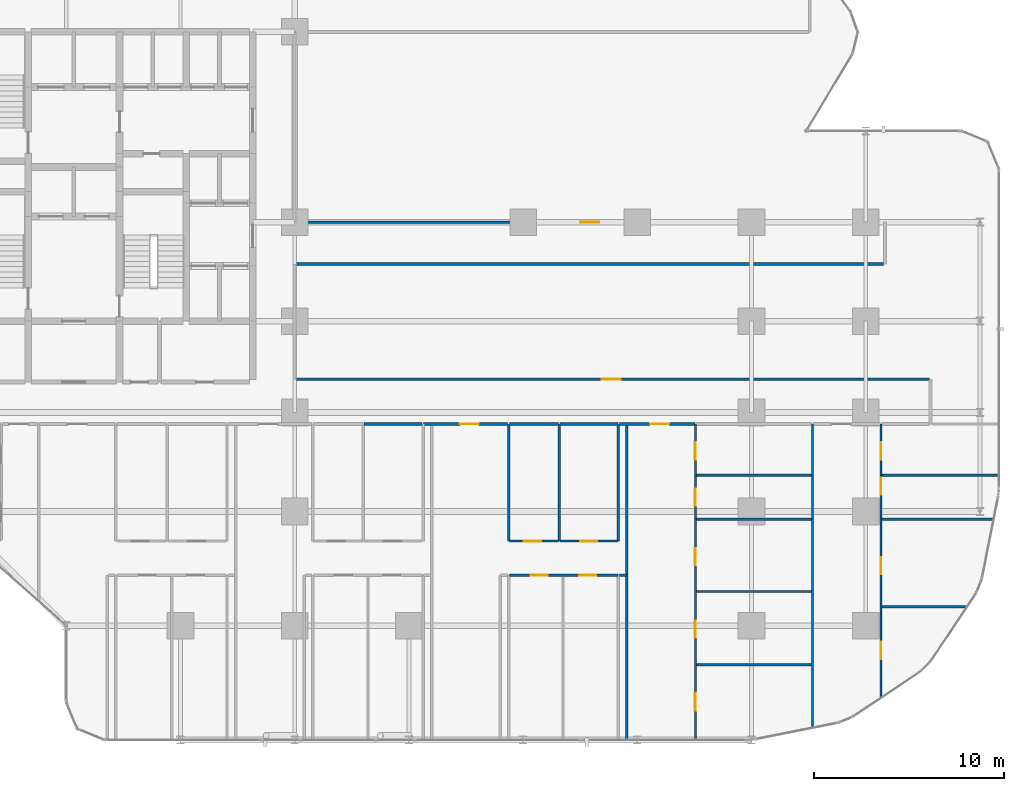
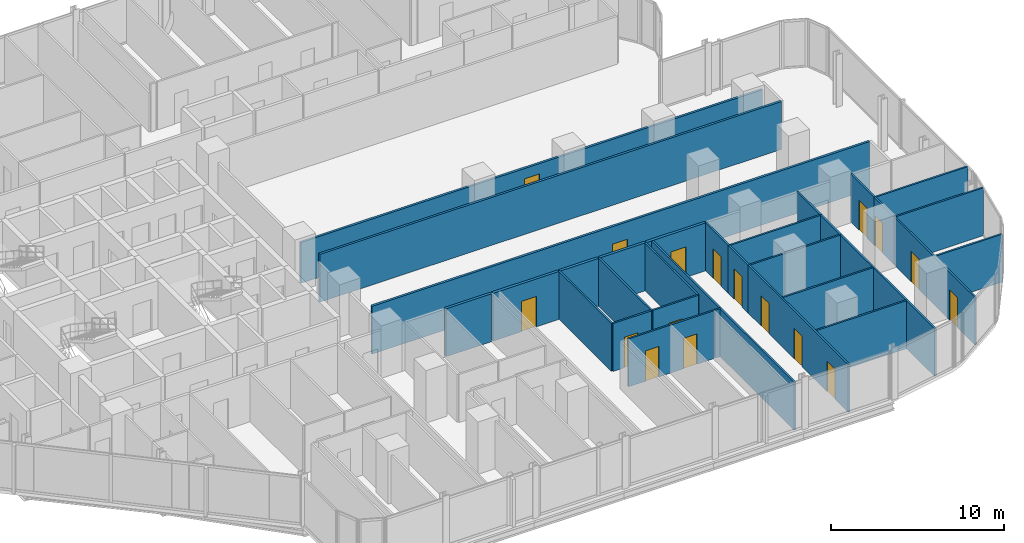
# One storey, part 29 of 34: 32 walls, 17 doors, 17 openings.
"""IFC4 building model written with IfcOpenShell, lengths in metres."""

import ifcopenshell
import ifcopenshell.guid

model = None  # the IFC model being written
_history = None  # IfcOwnerHistory: only IFC2X3 demands one
_inside = {}  # id of a spatial element -> (the spatial element, [elements in it])
_under = {}  # id of a project, library or spatial element -> (it, [spatial elements below it])
_declared = {}  # id of a project -> (the project, [libraries it declares])
_typed = {}  # id of a type object -> (the type object, [elements of that type])
_made_of = {}  # id of a material, layer set ... -> (it, [elements and type objects made of it])


def new_model(schema):
    """Start an empty IFC model of exactly this schema.

    Asked for "IFC4X3", IfcOpenShell would pick the latest addendum, in which some entities
    have other attributes; the version numbers below select the first issue.
    IFC2X3 requires an IfcOwnerHistory on every rooted entity: one is made here for all.
    """
    global model, _history
    if schema == "IFC4X3":
        model = ifcopenshell.file(schema_version=(4, 3, 0, 0))
    else:
        model = ifcopenshell.file(schema=schema)
    _inside.clear()
    _under.clear()
    _declared.clear()
    _typed.clear()
    _made_of.clear()
    _history = None
    if model.schema == "IFC2X3":
        org = make("IfcOrganization", Name="unknown")
        user = make(
            "IfcPersonAndOrganization",
            ThePerson=make("IfcPerson", FamilyName="unknown"),
            TheOrganization=org,
        )
        app = make(
            "IfcApplication",
            ApplicationDeveloper=org,
            Version="unknown",
            ApplicationFullName="unknown",
            ApplicationIdentifier="unknown",
        )
        _history = make(
            "IfcOwnerHistory",
            OwningUser=user,
            OwningApplication=app,
            ChangeAction="ADDED",
            CreationDate=0,
        )
    return model


def make(cls, **values):
    """One entity of the class cls with the attributes given. An attribute that is None is left unset."""
    return model.create_entity(
        cls, **{name: value for name, value in values.items() if value is not None}
    )


def rooted(cls, **values):
    """An entity with a GlobalId (a new one), such as an element, a storey or a relation."""
    return make(cls, GlobalId=ifcopenshell.guid.new(), OwnerHistory=_history, **values)


def si_unit(unit_type, name, prefix=None):
    """IfcSIUnit, for example si_unit("LENGTHUNIT", "METRE", prefix="MILLI")."""
    return make("IfcSIUnit", UnitType=unit_type, Prefix=prefix, Name=name)


def assignment(units):
    """IfcUnitAssignment: the units of a project."""
    return None if units is None else make("IfcUnitAssignment", Units=units)


def point(xyz):
    """IfcCartesianPoint."""
    return None if xyz is None else make("IfcCartesianPoint", Coordinates=xyz)


def direction(xyz):
    """IfcDirection."""
    return None if xyz is None else make("IfcDirection", DirectionRatios=xyz)


def frame(location, z_axis=None, x_axis=None):
    """IfcAxis2Placement3D, a coordinate frame: its origin and axes. An axis left out is left unset."""
    return make(
        "IfcAxis2Placement3D",
        Location=point(location),
        Axis=direction(z_axis),
        RefDirection=direction(x_axis),
    )


def frame_2d(location, x_axis=None):
    """IfcAxis2Placement2D, a coordinate frame in the plane: its origin and x axis."""
    return make(
        "IfcAxis2Placement2D", Location=point(location), RefDirection=direction(x_axis)
    )


def origin():
    """The frame at (0, 0, 0) with its axes left unset."""
    return frame((0.0, 0.0, 0.0))


def place(relative_to, where):
    """IfcLocalPlacement: puts the frame where relative to a parent placement (None: the world)."""
    return make(
        "IfcLocalPlacement", PlacementRelTo=relative_to, RelativePlacement=where
    )


def context(
    kind, dimensions, precision=None, world=None, true_north=None, identifier=None
):
    """IfcGeometricRepresentationContext, for example the 3D "Model" context."""
    return make(
        "IfcGeometricRepresentationContext",
        ContextIdentifier=identifier,
        ContextType=kind,
        CoordinateSpaceDimension=dimensions,
        Precision=precision,
        WorldCoordinateSystem=world,
        TrueNorth=true_north,
    )


def subcontext(parent, identifier, kind, view, scale=None):
    """IfcGeometricRepresentationSubContext, for example "Body" below "Model"."""
    return make(
        "IfcGeometricRepresentationSubContext",
        ContextIdentifier=identifier,
        ContextType=kind,
        ParentContext=parent,
        TargetScale=scale,
        TargetView=view,
    )


def project(units=None, contexts=None):
    """IfcProject with its units and contexts."""
    return rooted(
        "IfcProject",
        Name="project",
        RepresentationContexts=contexts,
        UnitsInContext=assignment(units),
    )


def spatial(cls, under=None, at=None, **own):
    """A site, building, storey or space (cls), placed at a placement, below another one or the project."""
    s = rooted(cls, ObjectPlacement=at, **own)
    if under is not None:
        _under.setdefault(under.id(), (under, []))[1].append(s)
    return s


def profile(cls, at=None, kind="AREA", **sizes):
    """A parametric profile (cls). Its sizes go by their IFC names, for example OverallWidth=200.0."""
    return make(cls, ProfileType=kind, Position=at, **sizes)


def rectangle(**sizes):
    """IfcRectangleProfileDef."""
    return profile("IfcRectangleProfileDef", **sizes)


def extrude(swept, where, along, depth):
    """IfcExtrudedAreaSolid: the profile swept, set in the frame where, extruded along a direction by depth."""
    return make(
        "IfcExtrudedAreaSolid",
        SweptArea=swept,
        Position=where,
        ExtrudedDirection=direction(along),
        Depth=depth,
    )


def shape(context_of_items, identifier, shape_type, items):
    """IfcShapeRepresentation: the items that make up one representation, for example the "Body"."""
    return make(
        "IfcShapeRepresentation",
        ContextOfItems=context_of_items,
        RepresentationIdentifier=identifier,
        RepresentationType=shape_type,
        Items=items,
    )


def material(Name=None, Category=None):
    """IfcMaterial."""
    return make("IfcMaterial", Name=Name, Category=Category)


def layer(
    of_material, thickness, ventilated=None, Name=None, Category=None, Priority=None
):
    """IfcMaterialLayer: one layer of a wall or slab, of a material (None: an air gap)."""
    return make(
        "IfcMaterialLayer",
        Material=of_material,
        LayerThickness=thickness,
        IsVentilated=ventilated,
        Name=Name,
        Category=Category,
        Priority=Priority,
    )


def layer_set(layers, Name=None):
    """IfcMaterialLayerSet."""
    return make("IfcMaterialLayerSet", MaterialLayers=layers, LayerSetName=Name)


def made_of(thing, what):
    """Note that an element or type object is made of a material, layer set ...; save() writes the relation."""
    if what is not None:
        _made_of.setdefault(what.id(), (what, []))[1].append(thing)
    return thing


def type_object(cls, material=None, **own):
    """A type object (cls), such as IfcWallType, which elements share."""
    return made_of(rooted(cls, **own), material)


def element(
    cls,
    number,
    at=None,
    inside=None,
    cuts=None,
    type_object=None,
    material=None,
    context=None,
    identifier="Body",
    shape_type=None,
    held_by="IfcProductDefinitionShape",
    body=None,
    shapes=None,
    **own,
):
    """One element of the class cls, such as IfcWall. Its Tag is "e" and its number.

    at: its placement. inside: the storey or other place that contains it. cuts: it is an
    opening in that element (IfcRelVoidsElement). A single representation is given by context,
    identifier, shape_type and body (its items); several are given by shapes. held_by: the class
    of the entity that holds the representations. save() writes the other relations.
    """
    e = rooted(cls, Tag="e%d" % number, ObjectPlacement=at, **own)
    if body is not None:
        shapes = [shape(context, identifier, shape_type, body)]
    if shapes is not None:
        e.Representation = make(held_by, Representations=shapes)
    if inside is not None:
        _inside.setdefault(inside.id(), (inside, []))[1].append(e)
    if cuts is not None:
        rooted(
            "IfcRelVoidsElement", RelatingBuildingElement=cuts, RelatedOpeningElement=e
        )
    if type_object is not None:
        _typed.setdefault(type_object.id(), (type_object, []))[1].append(e)
    return made_of(e, material)


def fill(opening, filler):
    """IfcRelFillsElement: the door or window that sits in an opening."""
    return rooted(
        "IfcRelFillsElement",
        RelatingOpeningElement=opening,
        RelatedBuildingElement=filler,
    )


def aggregate(whole, parts):
    """IfcRelAggregates: a whole, such as a stair, and the parts it consists of."""
    return rooted("IfcRelAggregates", RelatingObject=whole, RelatedObjects=parts)


def save(model, path):
    """Write the relations noted so far, then the file.

    IfcRelAggregates (storeys below a building ...), IfcRelContainedInSpatialStructure (elements
    in a storey), IfcRelDefinesByType, IfcRelAssociatesMaterial and IfcRelDeclares: one each for
    every whole, place, type object, material and project.
    """
    for whole, parts in _under.values():
        aggregate(whole, parts)
    for where, things in _inside.values():
        rooted(
            "IfcRelContainedInSpatialStructure",
            RelatedElements=things,
            RelatingStructure=where,
        )
    for kind, things in _typed.values():
        rooted("IfcRelDefinesByType", RelatedObjects=things, RelatingType=kind)
    for what, things in _made_of.values():
        rooted("IfcRelAssociatesMaterial", RelatedObjects=things, RelatingMaterial=what)
    for by, libraries in _declared.values():
        rooted("IfcRelDeclares", RelatingContext=by, RelatedDefinitions=libraries)
    model.write(path)


model = new_model("IFC4")

# Units and contexts
model_context = context("Model", 3, precision=1e-05, world=origin(), true_north=direction((0.0, 1.0)))
body_context = subcontext(model_context, "Body", "Model", "MODEL_VIEW")
ifc_project = project(units=[si_unit("LENGTHUNIT", "METRE"), si_unit("AREAUNIT", "SQUARE_METRE"), si_unit("VOLUMEUNIT", "CUBIC_METRE"), si_unit("PLANEANGLEUNIT", "RADIAN"), si_unit("MASSUNIT", "GRAM", prefix="KILO")], contexts=[model_context])

# Site, building, storey
site_placement = place(None, origin())
site = spatial("IfcSite", under=ifc_project, at=site_placement, CompositionType="ELEMENT")
building_placement = place(site_placement, origin())
building = spatial("IfcBuilding", under=site, at=building_placement, Name="Keshet Zoharim Tower", CompositionType="ELEMENT")
storey_placement = place(building_placement, frame((0.0, 0.0, 31.39990234375)))
storey = spatial("IfcBuildingStorey", under=building, at=storey_placement, Name="L06", CompositionType="ELEMENT", Elevation=31.39990234375)

# Wall, opening, door
ifc_material_1 = material(Name="Gypsum Plasterboard", Category="gypsum")
ifc_layer_1 = layer(ifc_material_1, 0.14990234375)
ifc_layer_set_1 = layer_set([ifc_layer_1], Name="Gypsum Plasterboard")
wall_type_1 = type_object("IfcWallType", Name="WL-CLIN-150", PredefinedType="STANDARD", material=ifc_layer_set_1)
wall_1_placement = place(storey_placement, frame((33.070068359375, 19.64990234375, 0.0), z_axis=(0.0, 0.0, 1.0), x_axis=(1.0, 0.0, 0.0)))
wall_1 = element("IfcWall", 1, at=wall_1_placement, inside=storey, type_object=wall_type_1, Name="L06 Interior Wall 167", PredefinedType="STANDARD", context=body_context, shape_type="SweptSolid", body=[
    extrude(rectangle(XDim=33.27001953125, YDim=0.14990234375, at=frame_2d((16.635009765625, 0.0))), origin(), (0.0, 0.0, 1.0), 3.385009765625),
])
opening_1_placement = place(wall_1_placement, frame((16.06494140625, 0.0, 0.0)))
opening_1 = element("IfcOpeningElement", 2, at=opening_1_placement, cuts=wall_1, Name="Opening D-F310", PredefinedType="OPENING", context=body_context, shape_type="SweptSolid", body=[
    extrude(rectangle(XDim=1.0, YDim=2.14990234375, at=frame_2d((0.5, 1.074951171875))), frame((0.0, 0.0849609375, 0.0), z_axis=(0.0, -1.0, 0.0), x_axis=(1.0, 0.0, 0.0)), (0.0, 0.0, 1.0), 0.169921875),
])
ifc_material_2 = material(Name="Hardwood Timber", Category="wood")
door_type_1 = type_object("IfcDoorType", Name="DR-FD30-100", OperationType="NOTDEFINED", PredefinedType="DOOR", material=ifc_material_2)
door_1_placement = place(opening_1_placement, origin())
door_1 = element("IfcDoor", 3, at=door_1_placement, inside=storey, type_object=door_type_1, Name="L06 North East Residents Services Suite Door 1", OperationType="SINGLE_SWING_LEFT", OverallHeight=2.14990234375, OverallWidth=1.0, PredefinedType="DOOR", context=body_context, shape_type="SweptSolid", body=[
    extrude(rectangle(XDim=1.0, YDim=2.14990234375, at=frame_2d((0.5, 1.074951171875))), frame((0.0, 0.02490234375, 0.0), z_axis=(0.0, -1.0, 0.0), x_axis=(1.0, 0.0, 0.0)), (0.0, 0.0, 1.0), 0.050048828125),
])
fill(opening_1, door_1)

# Wall
wall_2_placement = place(storey_placement, frame((33.070068359375, 25.699951171875, 0.0), z_axis=(0.0, 0.0, 1.0), x_axis=(1.0, 0.0, 0.0)))
element("IfcWall", 4, at=wall_2_placement, inside=storey, type_object=wall_type_1, Name="L06 Interior Wall 181", PredefinedType="STANDARD", context=body_context, shape_type="SweptSolid", body=[
    extrude(rectangle(XDim=30.869873046875, YDim=0.14990234375, at=frame_2d((15.43505859375, 0.0))), origin(), (0.0, 0.0, 1.0), 3.385009765625),
])

# Wall, opening, door
wall_3_placement = place(storey_placement, frame((33.070068359375, 27.89990234375, 0.0), z_axis=(0.0, 0.0, 1.0), x_axis=(1.0, 0.0, 0.0)))
wall_3 = element("IfcWall", 5, at=wall_3_placement, inside=storey, type_object=wall_type_1, Name="L06 Interior Wall 182", PredefinedType="STANDARD", context=body_context, shape_type="SweptSolid", body=[
    extrude(rectangle(XDim=30.869873046875, YDim=0.14990234375, at=frame_2d((15.43505859375, 0.0))), origin(), (0.0, 0.0, 1.0), 2.885009765625),
])
opening_2_placement = place(wall_3_placement, frame((14.93505859375, 0.0, 0.0)))
opening_2 = element("IfcOpeningElement", 6, at=opening_2_placement, cuts=wall_3, Name="Opening D-F310", PredefinedType="OPENING", context=body_context, shape_type="SweptSolid", body=[
    extrude(rectangle(XDim=1.0, YDim=2.14990234375, at=frame_2d((0.5, 1.074951171875))), frame((0.0, 0.0849609375, 0.0), z_axis=(0.0, -1.0, 0.0), x_axis=(1.0, 0.0, 0.0)), (0.0, 0.0, 1.0), 0.169921875),
])
door_2_placement = place(opening_2_placement, origin())
door_2 = element("IfcDoor", 7, at=door_2_placement, inside=storey, type_object=door_type_1, Name="L06 North East Residents Services Suite Door 2", OperationType="SINGLE_SWING_LEFT", OverallHeight=2.14990234375, OverallWidth=1.0, PredefinedType="DOOR", context=body_context, shape_type="SweptSolid", body=[
    extrude(rectangle(XDim=1.0, YDim=2.14990234375, at=frame_2d((0.5, 1.074951171875))), frame((0.0, 0.02490234375, 0.0), z_axis=(0.0, -1.0, 0.0), x_axis=(1.0, 0.0, 0.0)), (0.0, 0.0, 1.0), 0.050048828125),
])
fill(opening_2, door_2)

# Wall
ifc_layer_2 = layer(ifc_material_1, 0.179931640625)
ifc_layer_set_2 = layer_set([ifc_layer_2], Name="Gypsum Plasterboard")
wall_type_2 = type_object("IfcWallType", Name="WL-CORR-180", PredefinedType="STANDARD", material=ifc_layer_set_2)
wall_4_placement = place(storey_placement, frame((36.64794921875, 17.300048828125, 0.0), z_axis=(0.0, 0.0, 1.0), x_axis=(1.0, 0.0, 0.0)))
element("IfcWall", 8, at=wall_4_placement, inside=storey, type_object=wall_type_2, Name="L06 Interior Wall 154", PredefinedType="STANDARD", context=body_context, shape_type="SweptSolid", body=[
    extrude(rectangle(XDim=3.037109375, YDim=0.179931640625, at=frame_2d((1.5185546875, 0.0))), origin(), (0.0, 0.0, 1.0), 3.385009765625),
])

# Wall, opening, door
wall_5_placement = place(storey_placement, frame((39.77490234375, 17.300048828125, 0.0), z_axis=(0.0, 0.0, 1.0), x_axis=(1.0, 0.0, 0.0)))
wall_5 = element("IfcWall", 9, at=wall_5_placement, inside=storey, type_object=wall_type_2, Name="L06 Interior Wall 155", PredefinedType="STANDARD", context=body_context, shape_type="SweptSolid", body=[
    extrude(rectangle(XDim=4.41015625, YDim=0.179931640625, at=frame_2d((2.205078125, 0.0))), origin(), (0.0, 0.0, 1.0), 3.385009765625),
])
opening_3_placement = place(wall_5_placement, frame((1.905029296875, 0.0, 0.0)))
opening_3 = element("IfcOpeningElement", 10, at=opening_3_placement, cuts=wall_5, Name="Opening D-F310", PredefinedType="OPENING", context=body_context, shape_type="SweptSolid", body=[
    extrude(rectangle(XDim=1.0, YDim=2.14990234375, at=frame_2d((0.5, 1.074951171875))), frame((0.0, 0.10009765625, 0.0), z_axis=(0.0, -1.0, 0.0), x_axis=(1.0, 0.0, 0.0)), (0.0, 0.0, 1.0), 0.199951171875),
])
door_3_placement = place(opening_3_placement, origin())
door_3 = element("IfcDoor", 11, at=door_3_placement, inside=storey, type_object=door_type_1, Name="Apartment 0604 Entrance Door", OperationType="SINGLE_SWING_RIGHT", OverallHeight=2.14990234375, OverallWidth=1.0, PredefinedType="DOOR", context=body_context, shape_type="SweptSolid", body=[
    extrude(rectangle(XDim=1.0, YDim=2.14990234375, at=frame_2d((0.5, 1.074951171875))), frame((0.0, 0.02490234375, 0.0), z_axis=(0.0, -1.0, 0.0), x_axis=(1.0, 0.0, 0.0)), (0.0, 0.0, 1.0), 0.050048828125),
])
fill(opening_3, door_3)

# Walls
wall_6_placement = place(storey_placement, frame((44.27490234375, 17.300048828125, 0.0), z_axis=(0.0, 0.0, 1.0), x_axis=(1.0, 0.0, 0.0)))
element("IfcWall", 12, at=wall_6_placement, inside=storey, type_object=wall_type_2, Name="L06 Interior Wall 156", PredefinedType="STANDARD", context=body_context, shape_type="SweptSolid", body=[
    extrude(rectangle(XDim=2.572998046875, YDim=0.179931640625, at=frame_2d((1.28662109375, 0.0))), origin(), (0.0, 0.0, 1.0), 3.385009765625),
])
wall_7_placement = place(storey_placement, frame((46.93798828125, 17.300048828125, 0.0), z_axis=(0.0, 0.0, 1.0), x_axis=(1.0, 0.0, 0.0)))
element("IfcWall", 13, at=wall_7_placement, inside=storey, type_object=wall_type_2, Name="L06 Interior Wall 157", PredefinedType="STANDARD", context=body_context, shape_type="SweptSolid", body=[
    extrude(rectangle(XDim=3.037109375, YDim=0.179931640625, at=frame_2d((1.5185546875, 0.0))), origin(), (0.0, 0.0, 1.0), 3.385009765625),
])

# Wall, opening, door
wall_8_placement = place(storey_placement, frame((50.06494140625, 17.300048828125, 0.0), z_axis=(0.0, 0.0, 1.0), x_axis=(1.0, 0.0, 0.0)))
wall_8 = element("IfcWall", 14, at=wall_8_placement, inside=storey, type_object=wall_type_2, Name="L06 Interior Wall 158", PredefinedType="STANDARD", context=body_context, shape_type="SweptSolid", body=[
    extrude(rectangle(XDim=3.9599609375, YDim=0.179931640625, at=frame_2d((1.97998046875, 0.0))), origin(), (0.0, 0.0, 1.0), 3.385009765625),
])
opening_4_placement = place(wall_8_placement, frame((1.60888671875, 0.0, 0.0)))
opening_4 = element("IfcOpeningElement", 15, at=opening_4_placement, cuts=wall_8, Name="Opening D-F310", PredefinedType="OPENING", context=body_context, shape_type="SweptSolid", body=[
    extrude(rectangle(XDim=1.0, YDim=2.14990234375, at=frame_2d((0.5, 1.074951171875))), frame((0.0, 0.10009765625, 0.0), z_axis=(0.0, -1.0, 0.0), x_axis=(1.0, 0.0, 0.0)), (0.0, 0.0, 1.0), 0.199951171875),
])
door_4_placement = place(opening_4_placement, origin())
door_4 = element("IfcDoor", 16, at=door_4_placement, inside=storey, type_object=door_type_1, Name="Apartment 0605 Entrance Door", OperationType="SINGLE_SWING_LEFT", OverallHeight=2.14990234375, OverallWidth=1.0, PredefinedType="DOOR", context=body_context, shape_type="SweptSolid", body=[
    extrude(rectangle(XDim=1.0, YDim=2.14990234375, at=frame_2d((0.5, 1.074951171875))), frame((0.0, 0.02490234375, 0.0), z_axis=(0.0, -1.0, 0.0), x_axis=(1.0, 0.0, 0.0)), (0.0, 0.0, 1.0), 0.050048828125),
])
fill(opening_4, door_4)

# Walls
ifc_layer_3 = layer(ifc_material_1, 0.1201171875)
ifc_layer_set_3 = layer_set([ifc_layer_3], Name="Gypsum Plasterboard")
wall_type_3 = type_object("IfcWallType", Name="WL-PART-120", PredefinedType="PARTITIONING", material=ifc_layer_set_3)
wall_9_placement = place(storey_placement, frame((44.25, 11.14990234375, 0.0), z_axis=(0.0, 0.0, 1.0), x_axis=(0.0, 1.0, 0.0)))
element("IfcWall", 17, at=wall_9_placement, inside=storey, type_object=wall_type_3, Name="L06 Interior Wall 092", PredefinedType="PARTITIONING", context=body_context, shape_type="SweptSolid", body=[
    extrude(rectangle(XDim=6.150146484375, YDim=0.1201171875, at=frame_2d((3.0751953125, 0.0))), origin(), (0.0, 0.0, 1.0), 3.385009765625),
])
wall_10_placement = place(storey_placement, frame((50.449951171875, 0.7099609375, 0.0), z_axis=(0.0, 0.0, 1.0), x_axis=(0.0, 1.0, 0.0)))
element("IfcWall", 18, at=wall_10_placement, inside=storey, type_object=wall_type_3, Name="L06 Interior Wall 103", PredefinedType="PARTITIONING", context=body_context, shape_type="SweptSolid", body=[
    extrude(rectangle(XDim=16.590087890625, YDim=0.1201171875, at=frame_2d((8.294921875, 0.0))), origin(), (0.0, 0.0, 1.0), 3.385009765625),
])

# Wall, openings, doors
wall_11_placement = place(storey_placement, frame((54.050048828125, 0.7099609375, 0.0), z_axis=(0.0, 0.0, 1.0), x_axis=(0.0, 1.0, 0.0)))
wall_11 = element("IfcWall", 19, at=wall_11_placement, inside=storey, type_object=wall_type_3, Name="L06 Interior Wall 107", PredefinedType="PARTITIONING", context=body_context, shape_type="SweptSolid", body=[
    extrude(rectangle(XDim=11.590087890625, YDim=0.1201171875, at=frame_2d((5.794921875, 0.0))), origin(), (0.0, 0.0, 1.0), 3.385009765625),
])
opening_5_placement = place(wall_11_placement, frame((1.534912109375, 0.0, 0.0)))
opening_5 = element("IfcOpeningElement", 20, at=opening_5_placement, cuts=wall_11, Name="Opening D-IN90", PredefinedType="OPENING", context=body_context, shape_type="SweptSolid", body=[
    extrude(rectangle(XDim=0.89990234375, YDim=2.14990234375, at=frame_2d((0.449951171875, 1.074951171875))), frame((0.0, 0.070068359375, 0.0), z_axis=(0.0, -1.0, 0.0), x_axis=(1.0, 0.0, 0.0)), (0.0, 0.0, 1.0), 0.14013671875),
])
opening_6_placement = place(wall_11_placement, frame((5.34912109375, 0.0, 0.0)))
opening_6 = element("IfcOpeningElement", 21, at=opening_6_placement, cuts=wall_11, Name="Opening D-IN90", PredefinedType="OPENING", context=body_context, shape_type="SweptSolid", body=[
    extrude(rectangle(XDim=0.89990234375, YDim=2.14990234375, at=frame_2d((0.449951171875, 1.074951171875))), frame((0.0, 0.070068359375, 0.0), z_axis=(0.0, -1.0, 0.0), x_axis=(1.0, 0.0, 0.0)), (0.0, 0.0, 1.0), 0.14013671875),
])
opening_7_placement = place(wall_11_placement, frame((9.158935546875, 0.0, 0.0)))
opening_7 = element("IfcOpeningElement", 22, at=opening_7_placement, cuts=wall_11, Name="Opening D-IN90", PredefinedType="OPENING", context=body_context, shape_type="SweptSolid", body=[
    extrude(rectangle(XDim=0.89990234375, YDim=2.14990234375, at=frame_2d((0.449951171875, 1.074951171875))), frame((0.0, 0.070068359375, 0.0), z_axis=(0.0, -1.0, 0.0), x_axis=(1.0, 0.0, 0.0)), (0.0, 0.0, 1.0), 0.14013671875),
])
door_type_2 = type_object("IfcDoorType", Name="DR-INT-090", OperationType="NOTDEFINED", PredefinedType="DOOR", material=ifc_material_2)
door_5_placement = place(opening_5_placement, origin())
door_5 = element("IfcDoor", 23, at=door_5_placement, inside=storey, type_object=door_type_2, Name="Apartment 0605 Bedroom 1 Door", OperationType="SINGLE_SWING_LEFT", OverallHeight=2.14990234375, OverallWidth=0.89990234375, PredefinedType="DOOR", context=body_context, shape_type="SweptSolid", body=[
    extrude(rectangle(XDim=0.89990234375, YDim=2.14990234375, at=frame_2d((0.449951171875, 1.074951171875))), frame((0.0, 0.02490234375, 0.0), z_axis=(0.0, -1.0, 0.0), x_axis=(1.0, 0.0, 0.0)), (0.0, 0.0, 1.0), 0.050048828125),
])
fill(opening_5, door_5)
door_6_placement = place(opening_6_placement, origin())
door_6 = element("IfcDoor", 24, at=door_6_placement, inside=storey, type_object=door_type_2, Name="Apartment 0605 Bedroom 2 Door", OperationType="SINGLE_SWING_RIGHT", OverallHeight=2.14990234375, OverallWidth=0.89990234375, PredefinedType="DOOR", context=body_context, shape_type="SweptSolid", body=[
    extrude(rectangle(XDim=0.89990234375, YDim=2.14990234375, at=frame_2d((0.449951171875, 1.074951171875))), frame((0.0, 0.02490234375, 0.0), z_axis=(0.0, -1.0, 0.0), x_axis=(1.0, 0.0, 0.0)), (0.0, 0.0, 1.0), 0.050048828125),
])
fill(opening_6, door_6)
door_7_placement = place(opening_7_placement, origin())
door_7 = element("IfcDoor", 25, at=door_7_placement, inside=storey, type_object=door_type_2, Name="Apartment 0605 Bedroom 3 Door", OperationType="SINGLE_SWING_LEFT", OverallHeight=2.14990234375, OverallWidth=0.89990234375, PredefinedType="DOOR", context=body_context, shape_type="SweptSolid", body=[
    extrude(rectangle(XDim=0.89990234375, YDim=2.14990234375, at=frame_2d((0.449951171875, 1.074951171875))), frame((0.0, 0.02490234375, 0.0), z_axis=(0.0, -1.0, 0.0), x_axis=(1.0, 0.0, 0.0)), (0.0, 0.0, 1.0), 0.050048828125),
])
fill(opening_7, door_7)

# Wall, opening, door
wall_12_placement = place(storey_placement, frame((54.050048828125, 12.300048828125, 0.0), z_axis=(0.0, 0.0, 1.0), x_axis=(0.0, 1.0, 0.0)))
wall_12 = element("IfcWall", 26, at=wall_12_placement, inside=storey, type_object=wall_type_3, Name="L06 Interior Wall 108", PredefinedType="PARTITIONING", context=body_context, shape_type="SweptSolid", body=[
    extrude(rectangle(XDim=2.300048828125, YDim=0.1201171875, at=frame_2d((1.14990234375, 0.0))), origin(), (0.0, 0.0, 1.0), 3.385009765625),
])
opening_8_placement = place(wall_12_placement, frame((0.699951171875, 0.0, 0.0)))
opening_8 = element("IfcOpeningElement", 27, at=opening_8_placement, cuts=wall_12, Name="Opening D-IN90", PredefinedType="OPENING", context=body_context, shape_type="SweptSolid", body=[
    extrude(rectangle(XDim=0.89990234375, YDim=2.14990234375, at=frame_2d((0.449951171875, 1.074951171875))), frame((0.0, 0.070068359375, 0.0), z_axis=(0.0, -1.0, 0.0), x_axis=(1.0, 0.0, 0.0)), (0.0, 0.0, 1.0), 0.14013671875),
])
door_8_placement = place(opening_8_placement, origin())
door_8 = element("IfcDoor", 28, at=door_8_placement, inside=storey, type_object=door_type_2, Name="Apartment 0605 Kitchen Door", OperationType="SINGLE_SWING_RIGHT", OverallHeight=2.14990234375, OverallWidth=0.89990234375, PredefinedType="DOOR", context=body_context, shape_type="SweptSolid", body=[
    extrude(rectangle(XDim=0.89990234375, YDim=2.14990234375, at=frame_2d((0.449951171875, 1.074951171875))), frame((0.0, 0.02490234375, 0.0), z_axis=(0.0, -1.0, 0.0), x_axis=(1.0, 0.0, 0.0)), (0.0, 0.0, 1.0), 0.050048828125),
])
fill(opening_8, door_8)

# Walls
wall_13_placement = place(storey_placement, frame((60.199951171875, 1.345947265625, 0.0), z_axis=(0.0, 0.0, 1.0), x_axis=(0.0, 1.0, 0.0)))
element("IfcWall", 29, at=wall_13_placement, inside=storey, type_object=wall_type_3, Name="L06 Interior Wall 113", PredefinedType="PARTITIONING", context=body_context, shape_type="SweptSolid", body=[
    extrude(rectangle(XDim=10.9541015625, YDim=0.1201171875, at=frame_2d((5.47705078125, 0.0))), origin(), (0.0, 0.0, 1.0), 3.385009765625),
])
wall_14_placement = place(storey_placement, frame((60.199951171875, 12.300048828125, 0.0), z_axis=(0.0, 0.0, 1.0), x_axis=(0.0, 1.0, 0.0)))
element("IfcWall", 30, at=wall_14_placement, inside=storey, type_object=wall_type_3, Name="L06 Interior Wall 114", PredefinedType="PARTITIONING", context=body_context, shape_type="SweptSolid", body=[
    extrude(rectangle(XDim=2.300048828125, YDim=0.1201171875, at=frame_2d((1.14990234375, 0.0))), origin(), (0.0, 0.0, 1.0), 3.385009765625),
])

# Wall, openings, doors
wall_15_placement = place(storey_placement, frame((63.800048828125, 2.9189453125, 0.0), z_axis=(0.0, 0.0, 1.0), x_axis=(0.0, 1.0, 0.0)))
wall_15 = element("IfcWall", 31, at=wall_15_placement, inside=storey, type_object=wall_type_3, Name="L06 Interior Wall 116", PredefinedType="PARTITIONING", context=body_context, shape_type="SweptSolid", body=[
    extrude(rectangle(XDim=9.381103515625, YDim=0.1201171875, at=frame_2d((4.6904296875, 0.0))), origin(), (0.0, 0.0, 1.0), 3.385009765625),
])
opening_9_placement = place(wall_15_placement, frame((2.032958984375, 0.0, 0.0)))
opening_9 = element("IfcOpeningElement", 32, at=opening_9_placement, cuts=wall_15, Name="Opening D-IN90", PredefinedType="OPENING", context=body_context, shape_type="SweptSolid", body=[
    extrude(rectangle(XDim=0.89990234375, YDim=2.14990234375, at=frame_2d((0.449951171875, 1.074951171875))), frame((0.0, 0.070068359375, 0.0), z_axis=(0.0, -1.0, 0.0), x_axis=(1.0, 0.0, 0.0)), (0.0, 0.0, 1.0), 0.14013671875),
])
opening_10_placement = place(wall_15_placement, frame((6.48388671875, 0.0, 0.0)))
opening_10 = element("IfcOpeningElement", 33, at=opening_10_placement, cuts=wall_15, Name="Opening D-IN90", PredefinedType="OPENING", context=body_context, shape_type="SweptSolid", body=[
    extrude(rectangle(XDim=0.89990234375, YDim=2.14990234375, at=frame_2d((0.449951171875, 1.074951171875))), frame((0.0, 0.070068359375, 0.0), z_axis=(0.0, -1.0, 0.0), x_axis=(1.0, 0.0, 0.0)), (0.0, 0.0, 1.0), 0.14013671875),
])
door_9_placement = place(opening_9_placement, origin())
door_9 = element("IfcDoor", 34, at=door_9_placement, inside=storey, type_object=door_type_2, Name="Apartment 0606 Bedroom 1 Door", OperationType="SINGLE_SWING_RIGHT", OverallHeight=2.14990234375, OverallWidth=0.89990234375, PredefinedType="DOOR", context=body_context, shape_type="SweptSolid", body=[
    extrude(rectangle(XDim=0.89990234375, YDim=2.14990234375, at=frame_2d((0.449951171875, 1.074951171875))), frame((0.0, 0.02490234375, 0.0), z_axis=(0.0, -1.0, 0.0), x_axis=(1.0, 0.0, 0.0)), (0.0, 0.0, 1.0), 0.050048828125),
])
fill(opening_9, door_9)
door_10_placement = place(opening_10_placement, origin())
door_10 = element("IfcDoor", 35, at=door_10_placement, inside=storey, type_object=door_type_2, Name="Apartment 0606 Bedroom 2 Door", OperationType="SINGLE_SWING_LEFT", OverallHeight=2.14990234375, OverallWidth=0.89990234375, PredefinedType="DOOR", context=body_context, shape_type="SweptSolid", body=[
    extrude(rectangle(XDim=0.89990234375, YDim=2.14990234375, at=frame_2d((0.449951171875, 1.074951171875))), frame((0.0, 0.02490234375, 0.0), z_axis=(0.0, -1.0, 0.0), x_axis=(1.0, 0.0, 0.0)), (0.0, 0.0, 1.0), 0.050048828125),
])
fill(opening_10, door_10)

# Wall, opening, door
wall_16_placement = place(storey_placement, frame((63.800048828125, 12.300048828125, 0.0), z_axis=(0.0, 0.0, 1.0), x_axis=(0.0, 1.0, 0.0)))
wall_16 = element("IfcWall", 36, at=wall_16_placement, inside=storey, type_object=wall_type_3, Name="L06 Interior Wall 117", PredefinedType="PARTITIONING", context=body_context, shape_type="SweptSolid", body=[
    extrude(rectangle(XDim=2.300048828125, YDim=0.1201171875, at=frame_2d((1.14990234375, 0.0))), origin(), (0.0, 0.0, 1.0), 3.385009765625),
])
opening_11_placement = place(wall_16_placement, frame((1.280029296875, 0.0, 0.0)))
opening_11 = element("IfcOpeningElement", 37, at=opening_11_placement, cuts=wall_16, Name="Opening D-IN90", PredefinedType="OPENING", context=body_context, shape_type="SweptSolid", body=[
    extrude(rectangle(XDim=0.89990234375, YDim=2.14990234375, at=frame_2d((0.449951171875, 1.074951171875))), frame((0.0, 0.070068359375, 0.0), z_axis=(0.0, -1.0, 0.0), x_axis=(1.0, 0.0, 0.0)), (0.0, 0.0, 1.0), 0.14013671875),
])
door_11_placement = place(opening_11_placement, origin())
door_11 = element("IfcDoor", 38, at=door_11_placement, inside=storey, type_object=door_type_2, Name="Apartment 0606 Kitchen Door", OperationType="SINGLE_SWING_RIGHT", OverallHeight=2.14990234375, OverallWidth=0.89990234375, PredefinedType="DOOR", context=body_context, shape_type="SweptSolid", body=[
    extrude(rectangle(XDim=0.89990234375, YDim=2.14990234375, at=frame_2d((0.449951171875, 1.074951171875))), frame((0.0, 0.02490234375, 0.0), z_axis=(0.0, -1.0, 0.0), x_axis=(1.0, 0.0, 0.0)), (0.0, 0.0, 1.0), 0.050048828125),
])
fill(opening_11, door_11)

# Walls
wall_17_placement = place(storey_placement, frame((54.114990234375, 4.64990234375, 0.0), z_axis=(0.0, 0.0, 1.0), x_axis=(1.0, 0.0, 0.0)))
element("IfcWall", 39, at=wall_17_placement, inside=storey, type_object=wall_type_3, Name="L06 Interior Wall 121", PredefinedType="PARTITIONING", context=body_context, shape_type="SweptSolid", body=[
    extrude(rectangle(XDim=6.0400390625, YDim=0.1201171875, at=frame_2d((3.02001953125, 0.0))), origin(), (0.0, 0.0, 1.0), 3.385009765625),
])
wall_18_placement = place(storey_placement, frame((63.844970703125, 7.699951171875, 0.0), z_axis=(0.0, 0.0, 1.0), x_axis=(1.0, 0.0, 0.0)))
element("IfcWall", 40, at=wall_18_placement, inside=storey, type_object=wall_type_3, Name="L06 Interior Wall 122", PredefinedType="PARTITIONING", context=body_context, shape_type="SweptSolid", body=[
    extrude(rectangle(XDim=4.469970703125, YDim=0.1201171875, at=frame_2d((2.23486328125, 0.0))), origin(), (0.0, 0.0, 1.0), 3.385009765625),
])
wall_19_placement = place(storey_placement, frame((54.114990234375, 8.5, 0.0), z_axis=(0.0, 0.0, 1.0), x_axis=(1.0, 0.0, 0.0)))
element("IfcWall", 41, at=wall_19_placement, inside=storey, type_object=wall_type_3, Name="L06 Interior Wall 123", PredefinedType="PARTITIONING", context=body_context, shape_type="SweptSolid", body=[
    extrude(rectangle(XDim=6.0400390625, YDim=0.1201171875, at=frame_2d((3.02001953125, 0.0))), origin(), (0.0, 0.0, 1.0), 3.385009765625),
])

# Wall, openings, doors
wall_20_placement = place(storey_placement, frame((44.27490234375, 9.35009765625, 0.0), z_axis=(0.0, 0.0, 1.0), x_axis=(1.0, 0.0, 0.0)))
wall_20 = element("IfcWall", 42, at=wall_20_placement, inside=storey, type_object=wall_type_3, Name="L06 Interior Wall 131", PredefinedType="PARTITIONING", context=body_context, shape_type="SweptSolid", body=[
    extrude(rectangle(XDim=5.7001953125, YDim=0.1201171875, at=frame_2d((2.85009765625, 0.0))), origin(), (0.0, 0.0, 1.0), 3.385009765625),
])
opening_12_placement = place(wall_20_placement, frame((1.126953125, 0.0, 0.0)))
opening_12 = element("IfcOpeningElement", 43, at=opening_12_placement, cuts=wall_20, Name="Opening D-IN90", PredefinedType="OPENING", context=body_context, shape_type="SweptSolid", body=[
    extrude(rectangle(XDim=0.89990234375, YDim=2.14990234375, at=frame_2d((0.449951171875, 1.074951171875))), frame((0.0, 0.070068359375, 0.0), z_axis=(0.0, -1.0, 0.0), x_axis=(1.0, 0.0, 0.0)), (0.0, 0.0, 1.0), 0.14013671875),
])
opening_13_placement = place(wall_20_placement, frame((3.673095703125, 0.0, 0.0)))
opening_13 = element("IfcOpeningElement", 44, at=opening_13_placement, cuts=wall_20, Name="Opening D-IN90", PredefinedType="OPENING", context=body_context, shape_type="SweptSolid", body=[
    extrude(rectangle(XDim=0.89990234375, YDim=2.14990234375, at=frame_2d((0.449951171875, 1.074951171875))), frame((0.0, 0.070068359375, 0.0), z_axis=(0.0, -1.0, 0.0), x_axis=(1.0, 0.0, 0.0)), (0.0, 0.0, 1.0), 0.14013671875),
])
door_12_placement = place(opening_12_placement, origin())
door_12 = element("IfcDoor", 45, at=door_12_placement, inside=storey, type_object=door_type_2, Name="Apartment 0604 Bedroom 1 Door", OperationType="SINGLE_SWING_RIGHT", OverallHeight=2.14990234375, OverallWidth=0.89990234375, PredefinedType="DOOR", context=body_context, shape_type="SweptSolid", body=[
    extrude(rectangle(XDim=0.89990234375, YDim=2.14990234375, at=frame_2d((0.449951171875, 1.074951171875))), frame((0.0, 0.02490234375, 0.0), z_axis=(0.0, -1.0, 0.0), x_axis=(1.0, 0.0, 0.0)), (0.0, 0.0, 1.0), 0.050048828125),
])
fill(opening_12, door_12)
door_13_placement = place(opening_13_placement, origin())
door_13 = element("IfcDoor", 46, at=door_13_placement, inside=storey, type_object=door_type_2, Name="Apartment 0604 Bedroom 2 Door", OperationType="SINGLE_SWING_LEFT", OverallHeight=2.14990234375, OverallWidth=0.89990234375, PredefinedType="DOOR", context=body_context, shape_type="SweptSolid", body=[
    extrude(rectangle(XDim=0.89990234375, YDim=2.14990234375, at=frame_2d((0.449951171875, 1.074951171875))), frame((0.0, 0.02490234375, 0.0), z_axis=(0.0, -1.0, 0.0), x_axis=(1.0, 0.0, 0.0)), (0.0, 0.0, 1.0), 0.050048828125),
])
fill(opening_13, door_13)

# Wall
wall_21_placement = place(storey_placement, frame((50.06494140625, 9.35009765625, 0.0), z_axis=(0.0, 0.0, 1.0), x_axis=(1.0, 0.0, 0.0)))
element("IfcWall", 47, at=wall_21_placement, inside=storey, type_object=wall_type_3, Name="L06 Interior Wall 132", PredefinedType="PARTITIONING", context=body_context, shape_type="SweptSolid", body=[
    extrude(rectangle(XDim=0.360107421875, YDim=0.1201171875, at=frame_2d((0.18017578125, 0.0))), origin(), (0.0, 0.0, 1.0), 3.385009765625),
])

# Wall, opening, door
wall_22_placement = place(storey_placement, frame((44.27490234375, 11.14990234375, 0.0), z_axis=(0.0, 0.0, 1.0), x_axis=(1.0, 0.0, 0.0)))
wall_22 = element("IfcWall", 48, at=wall_22_placement, inside=storey, type_object=wall_type_3, Name="L06 Interior Wall 137", PredefinedType="PARTITIONING", context=body_context, shape_type="SweptSolid", body=[
    extrude(rectangle(XDim=2.572998046875, YDim=0.1201171875, at=frame_2d((1.28662109375, 0.0))), origin(), (0.0, 0.0, 1.0), 3.385009765625),
])
opening_14_placement = place(wall_22_placement, frame((0.76611328125, 0.0, 0.0)))
opening_14 = element("IfcOpeningElement", 49, at=opening_14_placement, cuts=wall_22, Name="Opening D-IN90", PredefinedType="OPENING", context=body_context, shape_type="SweptSolid", body=[
    extrude(rectangle(XDim=0.89990234375, YDim=2.14990234375, at=frame_2d((0.449951171875, 1.074951171875))), frame((0.0, 0.070068359375, 0.0), z_axis=(0.0, -1.0, 0.0), x_axis=(1.0, 0.0, 0.0)), (0.0, 0.0, 1.0), 0.14013671875),
])
door_14_placement = place(opening_14_placement, origin())
door_14 = element("IfcDoor", 50, at=door_14_placement, inside=storey, type_object=door_type_2, Name="Apartment 0604 Kitchen Door", OperationType="SINGLE_SWING_RIGHT", OverallHeight=2.14990234375, OverallWidth=0.89990234375, PredefinedType="DOOR", context=body_context, shape_type="SweptSolid", body=[
    extrude(rectangle(XDim=0.89990234375, YDim=2.14990234375, at=frame_2d((0.449951171875, 1.074951171875))), frame((0.0, 0.02490234375, 0.0), z_axis=(0.0, -1.0, 0.0), x_axis=(1.0, 0.0, 0.0)), (0.0, 0.0, 1.0), 0.050048828125),
])
fill(opening_14, door_14)

# Walls
wall_23_placement = place(storey_placement, frame((54.114990234375, 12.300048828125, 0.0), z_axis=(0.0, 0.0, 1.0), x_axis=(1.0, 0.0, 0.0)))
element("IfcWall", 51, at=wall_23_placement, inside=storey, type_object=wall_type_3, Name="L06 Interior Wall 140", PredefinedType="PARTITIONING", context=body_context, shape_type="SweptSolid", body=[
    extrude(rectangle(XDim=6.0400390625, YDim=0.1201171875, at=frame_2d((3.02001953125, 0.0))), origin(), (0.0, 0.0, 1.0), 3.385009765625),
])
wall_24_placement = place(storey_placement, frame((63.844970703125, 12.300048828125, 0.0), z_axis=(0.0, 0.0, 1.0), x_axis=(1.0, 0.0, 0.0)))
element("IfcWall", 52, at=wall_24_placement, inside=storey, type_object=wall_type_3, Name="L06 Interior Wall 141", PredefinedType="PARTITIONING", context=body_context, shape_type="SweptSolid", body=[
    extrude(rectangle(XDim=5.866943359375, YDim=0.1201171875, at=frame_2d((2.93359375, 0.0))), origin(), (0.0, 0.0, 1.0), 3.385009765625),
])
ifc_layer_4 = layer(ifc_material_1, 0.1201171875)
ifc_layer_set_4 = layer_set([ifc_layer_4], Name="Gypsum Plasterboard")
wall_type_4 = type_object("IfcWallType", Name="WL-WET-120", PredefinedType="PARTITIONING", material=ifc_layer_set_4)
for number, where, z_axis, x_axis, name in (
    (53, (46.89990234375, 11.14990234375, 0.0), (0.0, 0.0, 1.0), (0.0, 1.0, 0.0), "L06 Interior Wall 098"),
    (54, (50.0, 11.14990234375, 0.0), (0.0, 0.0, 1.0), (0.0, 1.0, 0.0), "L06 Interior Wall 102"),
):
    element("IfcWall", number, at=place(storey_placement, frame(where, z_axis=z_axis, x_axis=x_axis)), inside=storey, type_object=wall_type_4, Name=name, PredefinedType="PARTITIONING", context=body_context, shape_type="SweptSolid", body=[
        extrude(rectangle(XDim=6.150146484375, YDim=0.1201171875, at=frame_2d((3.0751953125, 0.0))), origin(), (0.0, 0.0, 1.0), 3.385009765625),
    ])

# Wall, opening, door
wall_25_placement = place(storey_placement, frame((54.050048828125, 14.60009765625, 0.0), z_axis=(0.0, 0.0, 1.0), x_axis=(0.0, 1.0, 0.0)))
wall_25 = element("IfcWall", 55, at=wall_25_placement, inside=storey, type_object=wall_type_4, Name="L06 Interior Wall 109", PredefinedType="PARTITIONING", context=body_context, shape_type="SweptSolid", body=[
    extrude(rectangle(XDim=2.699951171875, YDim=0.1201171875, at=frame_2d((1.35009765625, 0.0))), origin(), (0.0, 0.0, 1.0), 3.385009765625),
])
opening_15_placement = place(wall_25_placement, frame((0.827880859375, 0.0, 0.0)))
opening_15 = element("IfcOpeningElement", 56, at=opening_15_placement, cuts=wall_25, Name="Opening D-WT90", PredefinedType="OPENING", context=body_context, shape_type="SweptSolid", body=[
    extrude(rectangle(XDim=0.89990234375, YDim=2.10009765625, at=frame_2d((0.449951171875, 1.050048828125))), frame((0.0, 0.070068359375, 0.0), z_axis=(0.0, -1.0, 0.0), x_axis=(1.0, 0.0, 0.0)), (0.0, 0.0, 1.0), 0.14013671875),
])
door_type_3 = type_object("IfcDoorType", Name="DR-WET-090", OperationType="NOTDEFINED", PredefinedType="DOOR", material=ifc_material_2)
door_15_placement = place(opening_15_placement, origin())
door_15 = element("IfcDoor", 57, at=door_15_placement, inside=storey, type_object=door_type_3, Name="Apartment 0605 Bathroom Door", OperationType="SINGLE_SWING_LEFT", OverallHeight=2.10009765625, OverallWidth=0.89990234375, PredefinedType="DOOR", context=body_context, shape_type="SweptSolid", body=[
    extrude(rectangle(XDim=0.89990234375, YDim=2.10009765625, at=frame_2d((0.449951171875, 1.050048828125))), frame((0.0, 0.02490234375, 0.0), z_axis=(0.0, -1.0, 0.0), x_axis=(1.0, 0.0, 0.0)), (0.0, 0.0, 1.0), 0.050048828125),
])
fill(opening_15, door_15)

# Wall
wall_26_placement = place(storey_placement, frame((60.199951171875, 14.60009765625, 0.0), z_axis=(0.0, 0.0, 1.0), x_axis=(0.0, 1.0, 0.0)))
element("IfcWall", 58, at=wall_26_placement, inside=storey, type_object=wall_type_4, Name="L06 Interior Wall 115", PredefinedType="PARTITIONING", context=body_context, shape_type="SweptSolid", body=[
    extrude(rectangle(XDim=2.699951171875, YDim=0.1201171875, at=frame_2d((1.35009765625, 0.0))), origin(), (0.0, 0.0, 1.0), 3.385009765625),
])

# Wall, opening, door
wall_27_placement = place(storey_placement, frame((63.800048828125, 14.60009765625, 0.0), z_axis=(0.0, 0.0, 1.0), x_axis=(0.0, 1.0, 0.0)))
wall_27 = element("IfcWall", 59, at=wall_27_placement, inside=storey, type_object=wall_type_4, Name="L06 Interior Wall 118", PredefinedType="PARTITIONING", context=body_context, shape_type="SweptSolid", body=[
    extrude(rectangle(XDim=2.699951171875, YDim=0.1201171875, at=frame_2d((1.35009765625, 0.0))), origin(), (0.0, 0.0, 1.0), 3.385009765625),
])
opening_16_placement = place(wall_27_placement, frame((0.827880859375, 0.0, 0.0)))
opening_16 = element("IfcOpeningElement", 60, at=opening_16_placement, cuts=wall_27, Name="Opening D-WT90", PredefinedType="OPENING", context=body_context, shape_type="SweptSolid", body=[
    extrude(rectangle(XDim=0.89990234375, YDim=2.10009765625, at=frame_2d((0.449951171875, 1.050048828125))), frame((0.0, 0.070068359375, 0.0), z_axis=(0.0, -1.0, 0.0), x_axis=(1.0, 0.0, 0.0)), (0.0, 0.0, 1.0), 0.14013671875),
])
door_16_placement = place(opening_16_placement, origin())
door_16 = element("IfcDoor", 61, at=door_16_placement, inside=storey, type_object=door_type_3, Name="Apartment 0606 Bathroom Door", OperationType="SINGLE_SWING_LEFT", OverallHeight=2.10009765625, OverallWidth=0.89990234375, PredefinedType="DOOR", context=body_context, shape_type="SweptSolid", body=[
    extrude(rectangle(XDim=0.89990234375, YDim=2.10009765625, at=frame_2d((0.449951171875, 1.050048828125))), frame((0.0, 0.02490234375, 0.0), z_axis=(0.0, -1.0, 0.0), x_axis=(1.0, 0.0, 0.0)), (0.0, 0.0, 1.0), 0.050048828125),
])
fill(opening_16, door_16)

wall_28_placement = place(storey_placement, frame((46.93798828125, 11.14990234375, 0.0), z_axis=(0.0, 0.0, 1.0), x_axis=(1.0, 0.0, 0.0)))
wall_28 = element("IfcWall", 62, at=wall_28_placement, inside=storey, type_object=wall_type_4, Name="L06 Interior Wall 138", PredefinedType="PARTITIONING", context=body_context, shape_type="SweptSolid", body=[
    extrude(rectangle(XDim=3.037109375, YDim=0.1201171875, at=frame_2d((1.5185546875, 0.0))), origin(), (0.0, 0.0, 1.0), 3.385009765625),
])
opening_17_placement = place(wall_28_placement, frame((1.069091796875, 0.0, 0.0)))
opening_17 = element("IfcOpeningElement", 63, at=opening_17_placement, cuts=wall_28, Name="Opening D-WT90", PredefinedType="OPENING", context=body_context, shape_type="SweptSolid", body=[
    extrude(rectangle(XDim=0.89990234375, YDim=2.10009765625, at=frame_2d((0.449951171875, 1.050048828125))), frame((0.0, 0.070068359375, 0.0), z_axis=(0.0, -1.0, 0.0), x_axis=(1.0, 0.0, 0.0)), (0.0, 0.0, 1.0), 0.14013671875),
])
door_17_placement = place(opening_17_placement, origin())
door_17 = element("IfcDoor", 64, at=door_17_placement, inside=storey, type_object=door_type_3, Name="Apartment 0604 Bathroom Door", OperationType="SINGLE_SWING_LEFT", OverallHeight=2.10009765625, OverallWidth=0.89990234375, PredefinedType="DOOR", context=body_context, shape_type="SweptSolid", body=[
    extrude(rectangle(XDim=0.89990234375, YDim=2.10009765625, at=frame_2d((0.449951171875, 1.050048828125))), frame((0.0, 0.02490234375, 0.0), z_axis=(0.0, -1.0, 0.0), x_axis=(1.0, 0.0, 0.0)), (0.0, 0.0, 1.0), 0.050048828125),
])
fill(opening_17, door_17)

# Walls
wall_29_placement = place(storey_placement, frame((54.114990234375, 14.60009765625, 0.0), z_axis=(0.0, 0.0, 1.0), x_axis=(1.0, 0.0, 0.0)))
element("IfcWall", 65, at=wall_29_placement, inside=storey, type_object=wall_type_4, Name="L06 Interior Wall 143", PredefinedType="PARTITIONING", context=body_context, shape_type="SweptSolid", body=[
    extrude(rectangle(XDim=6.0400390625, YDim=0.1201171875, at=frame_2d((3.02001953125, 0.0))), origin(), (0.0, 0.0, 1.0), 3.385009765625),
])
wall_30_placement = place(storey_placement, frame((63.844970703125, 14.60009765625, 0.0), z_axis=(0.0, 0.0, 1.0), x_axis=(1.0, 0.0, 0.0)))
element("IfcWall", 66, at=wall_30_placement, inside=storey, type_object=wall_type_4, Name="L06 Interior Wall 144", PredefinedType="PARTITIONING", context=body_context, shape_type="SweptSolid", body=[
    extrude(rectangle(XDim=6.14501953125, YDim=0.1201171875, at=frame_2d((3.072509765625, 0.0))), origin(), (0.0, 0.0, 1.0), 3.385009765625),
])

save(model, "model.ifc")
